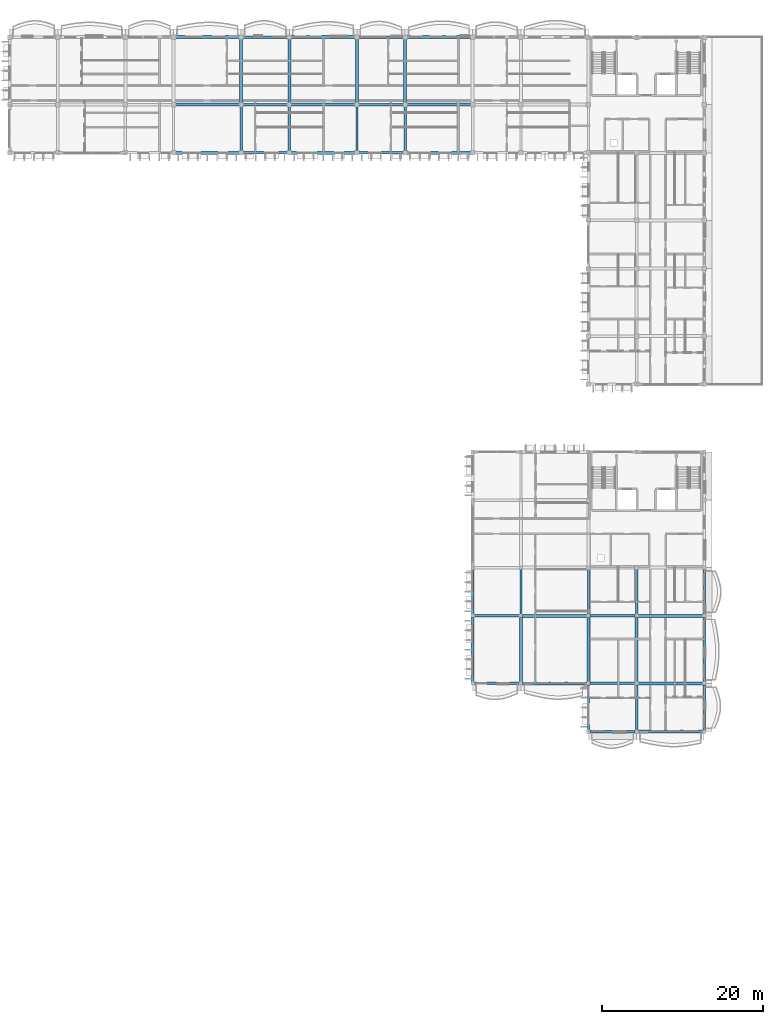
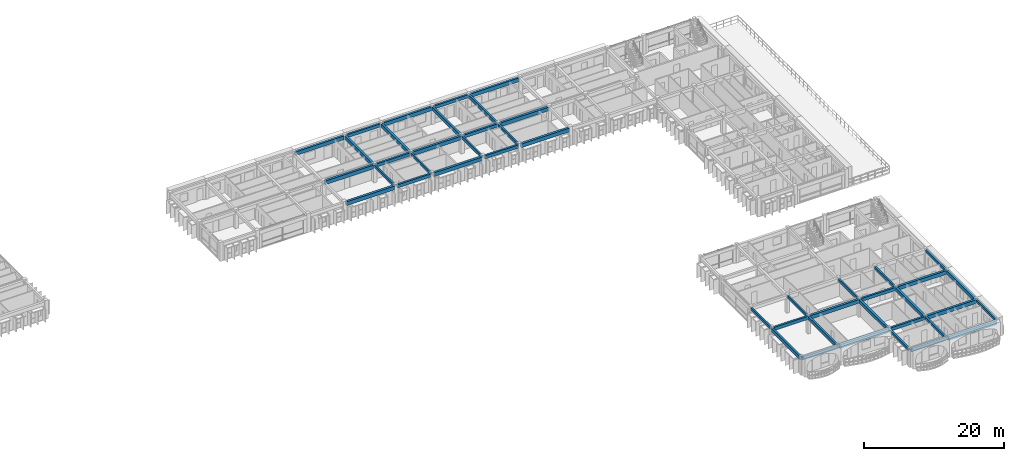
# One storey, part 12 of 68: 46 beams.
"""IFC4 building model written with IfcOpenShell, lengths in metres."""

from ifc_helpers import new_model, si_unit, direction, frame, origin, origin_2d, place, context, subcontext, project, spatial, rectangle, extrude, material, material_profile, profile_set, type_object, element, save


model = new_model("IFC4")

# Units and contexts
model_context = context("Model", 3, precision=1e-05, world=origin(), true_north=direction((0.0, 1.0)))
body_context = subcontext(model_context, "Body", "Model", "MODEL_VIEW")
ifc_project = project(units=[si_unit("LENGTHUNIT", "METRE"), si_unit("AREAUNIT", "SQUARE_METRE"), si_unit("VOLUMEUNIT", "CUBIC_METRE"), si_unit("PLANEANGLEUNIT", "RADIAN"), si_unit("MASSUNIT", "GRAM", prefix="KILO"), si_unit("THERMODYNAMICTEMPERATUREUNIT", "KELVIN")], contexts=[model_context])

# Site, building, storey
site_placement = place(None, origin())
site = spatial("IfcSite", under=ifc_project, at=site_placement, CompositionType="ELEMENT")
building_placement = place(site_placement, origin())
building = spatial("IfcBuilding", under=site, at=building_placement, Name="Thalorik Housing Commons", CompositionType="ELEMENT")
storey_placement = place(building_placement, frame((0.0, 0.0, 24.60009765625)))
storey = spatial("IfcBuildingStorey", under=building, at=storey_placement, Name="L07", CompositionType="ELEMENT", Elevation=24.60009765625)

# Beams
ifc_material = material(Name="Precast concrete C40/50", Category="concrete")
ifc_material_profile_1 = material_profile(ifc_material, rectangle(XDim=0.280029296875, YDim=0.449951171875, at=origin_2d()), Name="PC 280x450", Category="concrete")
ifc_profile_set_1 = profile_set([ifc_material_profile_1], Name="Precast concrete C40/50")
beam_type_1 = type_object("IfcBeamType", Name="STR-BM-PC280x450", PredefinedType="BEAM", material=ifc_profile_set_1)
for number, where, z_axis, x_axis, name in (
    (1, (109.199951171875, 109.425048828125, 2.81494140625), (0.0, 1.0, 0.0), (-1.0, 0.0, 0.0), "L07 Beam B-450"),
    (2, (115.199951171875, 109.425048828125, 2.81494140625), (0.0, 1.0, 0.0), (-1.0, 0.0, 0.0), "L07 Beam B-450"),
    (3, (123.60009765625, 109.425048828125, 2.81494140625), (0.0, 1.0, 0.0), (-1.0, 0.0, 0.0), "L07 Beam B-450"),
    (4, (129.60009765625, 109.425048828125, 2.81494140625), (0.0, 1.0, 0.0), (-1.0, 0.0, 0.0), "L07 Beam B-450"),
):
    element("IfcBeam", number, at=place(storey_placement, frame(where, z_axis=z_axis, x_axis=x_axis)), inside=storey, type_object=beam_type_1, Name=name, PredefinedType="BEAM", context=body_context, shape_type="SweptSolid", body=[
        extrude(rectangle(XDim=0.280029296875, YDim=0.449951171875, at=origin_2d()), origin(), (0.0, 0.0, 1.0), 5.550048828125),
    ])
for number, where, z_axis, x_axis, name in (
    (5, (138.0, 51.77490234375, 2.81494140625), (0.0, 1.0, 0.0), (-1.0, 0.0, 0.0), "L07 Beam B-450"),
    (6, (144.0, 51.77490234375, 2.81494140625), (0.0, 1.0, 0.0), (-1.0, 0.0, 0.0), "L07 Beam B-450"),
):
    element("IfcBeam", number, at=place(storey_placement, frame(where, z_axis=z_axis, x_axis=x_axis)), inside=storey, type_object=beam_type_1, Name=name, PredefinedType="BEAM", context=body_context, shape_type="SweptSolid", body=[
        extrude(rectangle(XDim=0.280029296875, YDim=0.449951171875, at=origin_2d()), origin(), (0.0, 0.0, 1.0), 5.650146484375),
    ])
beam_1_placement = place(storey_placement, frame((152.39990234375, 37.375, 2.81494140625), z_axis=(0.0, 1.0, 0.0), x_axis=(-1.0, 0.0, 0.0)))
element("IfcBeam", 7, at=beam_1_placement, inside=storey, type_object=beam_type_1, Name="L07 Beam B-450", PredefinedType="BEAM", context=body_context, shape_type="SweptSolid", body=[
    extrude(rectangle(XDim=0.280029296875, YDim=0.449951171875, at=origin_2d()), origin(), (0.0, 0.0, 1.0), 5.64990234375),
])
beam_2_placement = place(storey_placement, frame((152.39990234375, 51.77490234375, 2.81494140625), z_axis=(0.0, 1.0, 0.0), x_axis=(-1.0, 0.0, 0.0)))
element("IfcBeam", 8, at=beam_2_placement, inside=storey, type_object=beam_type_1, Name="L07 Beam B-450", PredefinedType="BEAM", context=body_context, shape_type="SweptSolid", body=[
    extrude(rectangle(XDim=0.280029296875, YDim=0.449951171875, at=origin_2d()), origin(), (0.0, 0.0, 1.0), 5.650146484375),
])
beam_3_placement = place(storey_placement, frame((158.39990234375, 37.375, 2.81494140625), z_axis=(0.0, 1.0, 0.0), x_axis=(-1.0, 0.0, 0.0)))
element("IfcBeam", 9, at=beam_3_placement, inside=storey, type_object=beam_type_1, Name="L07 Beam B-450", PredefinedType="BEAM", context=body_context, shape_type="SweptSolid", body=[
    extrude(rectangle(XDim=0.280029296875, YDim=0.449951171875, at=origin_2d()), origin(), (0.0, 0.0, 1.0), 5.64990234375),
])
beam_4_placement = place(storey_placement, frame((158.39990234375, 51.77490234375, 2.81494140625), z_axis=(0.0, 1.0, 0.0), x_axis=(-1.0, 0.0, 0.0)))
element("IfcBeam", 10, at=beam_4_placement, inside=storey, type_object=beam_type_1, Name="L07 Beam B-450", PredefinedType="BEAM", context=body_context, shape_type="SweptSolid", body=[
    extrude(rectangle(XDim=0.280029296875, YDim=0.449951171875, at=origin_2d()), origin(), (0.0, 0.0, 1.0), 5.650146484375),
])
beam_5_placement = place(storey_placement, frame((166.800048828125, 37.375, 2.81494140625), z_axis=(0.0, 1.0, 0.0), x_axis=(-1.0, 0.0, 0.0)))
element("IfcBeam", 11, at=beam_5_placement, inside=storey, type_object=beam_type_1, Name="L07 Beam B-450", PredefinedType="BEAM", context=body_context, shape_type="SweptSolid", body=[
    extrude(rectangle(XDim=0.280029296875, YDim=0.449951171875, at=origin_2d()), origin(), (0.0, 0.0, 1.0), 5.64990234375),
])
beam_6_placement = place(storey_placement, frame((166.800048828125, 51.77490234375, 2.81494140625), z_axis=(0.0, 1.0, 0.0), x_axis=(-1.0, 0.0, 0.0)))
element("IfcBeam", 12, at=beam_6_placement, inside=storey, type_object=beam_type_1, Name="L07 Beam B-450", PredefinedType="BEAM", context=body_context, shape_type="SweptSolid", body=[
    extrude(rectangle(XDim=0.280029296875, YDim=0.449951171875, at=origin_2d()), origin(), (0.0, 0.0, 1.0), 5.650146484375),
])
ifc_material_profile_2 = material_profile(ifc_material, rectangle(XDim=0.320068359375, YDim=0.550048828125, at=origin_2d()), Name="PC 320x550", Category="concrete")
ifc_profile_set_2 = profile_set([ifc_material_profile_2], Name="Precast concrete C40/50")
beam_type_2 = type_object("IfcBeamType", Name="STR-BM-PC320x550", PredefinedType="BEAM", material=ifc_profile_set_2)
beam_7_placement = place(storey_placement, frame((152.574951171875, 37.199951171875, 2.764892578125), z_axis=(1.0, 0.0, 0.0), x_axis=(0.0, 1.0, 0.0)))
element("IfcBeam", 13, at=beam_7_placement, inside=storey, type_object=beam_type_2, Name="L07 Beam B-550", PredefinedType="BEAM", context=body_context, shape_type="SweptSolid", body=[
    extrude(rectangle(XDim=0.320068359375, YDim=0.550048828125, at=origin_2d()), origin(), (0.0, 0.0, 1.0), 5.650146484375),
])
beam_8_placement = place(storey_placement, frame((138.175048828125, 43.199951171875, 2.764892578125), z_axis=(1.0, 0.0, 0.0), x_axis=(0.0, 1.0, 0.0)))
element("IfcBeam", 14, at=beam_8_placement, inside=storey, type_object=beam_type_2, Name="L07 Beam B-550", PredefinedType="BEAM", context=body_context, shape_type="SweptSolid", body=[
    extrude(rectangle(XDim=0.320068359375, YDim=0.550048828125, at=origin_2d()), origin(), (0.0, 0.0, 1.0), 5.64990234375),
])
beam_9_placement = place(storey_placement, frame((152.574951171875, 43.199951171875, 2.764892578125), z_axis=(1.0, 0.0, 0.0), x_axis=(0.0, 1.0, 0.0)))
element("IfcBeam", 15, at=beam_9_placement, inside=storey, type_object=beam_type_2, Name="L07 Beam B-550", PredefinedType="BEAM", context=body_context, shape_type="SweptSolid", body=[
    extrude(rectangle(XDim=0.320068359375, YDim=0.550048828125, at=origin_2d()), origin(), (0.0, 0.0, 1.0), 5.650146484375),
])
beam_10_placement = place(storey_placement, frame((138.175048828125, 51.60009765625, 2.764892578125), z_axis=(1.0, 0.0, 0.0), x_axis=(0.0, 1.0, 0.0)))
element("IfcBeam", 16, at=beam_10_placement, inside=storey, type_object=beam_type_2, Name="L07 Beam B-550", PredefinedType="BEAM", context=body_context, shape_type="SweptSolid", body=[
    extrude(rectangle(XDim=0.320068359375, YDim=0.550048828125, at=origin_2d()), origin(), (0.0, 0.0, 1.0), 5.64990234375),
])
beam_11_placement = place(storey_placement, frame((152.574951171875, 51.60009765625, 2.764892578125), z_axis=(1.0, 0.0, 0.0), x_axis=(0.0, 1.0, 0.0)))
element("IfcBeam", 17, at=beam_11_placement, inside=storey, type_object=beam_type_2, Name="L07 Beam B-550", PredefinedType="BEAM", context=body_context, shape_type="SweptSolid", body=[
    extrude(rectangle(XDim=0.320068359375, YDim=0.550048828125, at=origin_2d()), origin(), (0.0, 0.0, 1.0), 5.650146484375),
])
for number, where, z_axis, x_axis, name in (
    (18, (109.425048828125, 109.199951171875, 2.764892578125), (1.0, 0.0, 0.0), (0.0, 1.0, 0.0), "L07 Beam B-550"),
    (19, (123.824951171875, 109.199951171875, 2.764892578125), (1.0, 0.0, 0.0), (0.0, 1.0, 0.0), "L07 Beam B-550"),
    (20, (109.425048828125, 115.199951171875, 2.764892578125), (1.0, 0.0, 0.0), (0.0, 1.0, 0.0), "L07 Beam B-550"),
    (21, (123.824951171875, 115.199951171875, 2.764892578125), (1.0, 0.0, 0.0), (0.0, 1.0, 0.0), "L07 Beam B-550"),
    (22, (109.425048828125, 123.60009765625, 2.764892578125), (1.0, 0.0, 0.0), (0.0, 1.0, 0.0), "L07 Beam B-550"),
    (23, (123.824951171875, 123.60009765625, 2.764892578125), (1.0, 0.0, 0.0), (0.0, 1.0, 0.0), "L07 Beam B-550"),
):
    element("IfcBeam", number, at=place(storey_placement, frame(where, z_axis=z_axis, x_axis=x_axis)), inside=storey, type_object=beam_type_2, Name=name, PredefinedType="BEAM", context=body_context, shape_type="SweptSolid", body=[
        extrude(rectangle(XDim=0.320068359375, YDim=0.550048828125, at=origin_2d()), origin(), (0.0, 0.0, 1.0), 5.550048828125),
    ])
ifc_material_profile_3 = material_profile(ifc_material, rectangle(XDim=0.35009765625, YDim=0.60009765625, at=origin_2d()), Name="PC 350x600", Category="concrete")
ifc_profile_set_3 = profile_set([ifc_material_profile_3], Name="Precast concrete C40/50")
beam_type_3 = type_object("IfcBeamType", Name="STR-BM-PC350x600", PredefinedType="BEAM", material=ifc_profile_set_3)
for number, where, z_axis, x_axis, name in (
    (24, (109.199951171875, 115.425048828125, 2.739990234375), (0.0, 1.0, 0.0), (-1.0, 0.0, 0.0), "L07 Beam B-600"),
    (25, (115.199951171875, 115.425048828125, 2.739990234375), (0.0, 1.0, 0.0), (-1.0, 0.0, 0.0), "L07 Beam B-600"),
    (26, (123.60009765625, 115.425048828125, 2.739990234375), (0.0, 1.0, 0.0), (-1.0, 0.0, 0.0), "L07 Beam B-600"),
    (27, (129.60009765625, 115.425048828125, 2.739990234375), (0.0, 1.0, 0.0), (-1.0, 0.0, 0.0), "L07 Beam B-600"),
):
    element("IfcBeam", number, at=place(storey_placement, frame(where, z_axis=z_axis, x_axis=x_axis)), inside=storey, type_object=beam_type_3, Name=name, PredefinedType="BEAM", context=body_context, shape_type="SweptSolid", body=[
        extrude(rectangle(XDim=0.35009765625, YDim=0.60009765625, at=origin_2d()), origin(), (0.0, 0.0, 1.0), 7.949951171875),
    ])
for number, where, z_axis, x_axis, name in (
    (28, (138.0, 43.375, 2.739990234375), (0.0, 1.0, 0.0), (-1.0, 0.0, 0.0), "L07 Beam B-600"),
    (29, (144.0, 43.375, 2.739990234375), (0.0, 1.0, 0.0), (-1.0, 0.0, 0.0), "L07 Beam B-600"),
    (30, (152.39990234375, 43.375, 2.739990234375), (0.0, 1.0, 0.0), (-1.0, 0.0, 0.0), "L07 Beam B-600"),
    (31, (158.39990234375, 43.375, 2.739990234375), (0.0, 1.0, 0.0), (-1.0, 0.0, 0.0), "L07 Beam B-600"),
    (32, (166.800048828125, 43.375, 2.739990234375), (0.0, 1.0, 0.0), (-1.0, 0.0, 0.0), "L07 Beam B-600"),
):
    element("IfcBeam", number, at=place(storey_placement, frame(where, z_axis=z_axis, x_axis=x_axis)), inside=storey, type_object=beam_type_3, Name=name, PredefinedType="BEAM", context=body_context, shape_type="SweptSolid", body=[
        extrude(rectangle(XDim=0.35009765625, YDim=0.60009765625, at=origin_2d()), origin(), (0.0, 0.0, 1.0), 8.050048828125),
    ])
ifc_material_profile_4 = material_profile(ifc_material, rectangle(XDim=0.3798828125, YDim=0.64990234375, at=origin_2d()), Name="PC 380x650", Category="concrete")
ifc_profile_set_4 = profile_set([ifc_material_profile_4], Name="Precast concrete C40/50")
beam_type_4 = type_object("IfcBeamType", Name="STR-BM-PC380x650", PredefinedType="BEAM", material=ifc_profile_set_4)
for number, where, z_axis, x_axis, name in (
    (33, (158.574951171875, 37.199951171875, 2.71484375), (1.0, 0.0, 0.0), (0.0, 1.0, 0.0), "L07 Beam B-650"),
    (34, (144.175048828125, 43.199951171875, 2.71484375), (1.0, 0.0, 0.0), (0.0, 1.0, 0.0), "L07 Beam B-650"),
    (35, (158.574951171875, 43.199951171875, 2.71484375), (1.0, 0.0, 0.0), (0.0, 1.0, 0.0), "L07 Beam B-650"),
    (36, (144.175048828125, 51.60009765625, 2.71484375), (1.0, 0.0, 0.0), (0.0, 1.0, 0.0), "L07 Beam B-650"),
    (37, (158.574951171875, 51.60009765625, 2.71484375), (1.0, 0.0, 0.0), (0.0, 1.0, 0.0), "L07 Beam B-650"),
):
    element("IfcBeam", number, at=place(storey_placement, frame(where, z_axis=z_axis, x_axis=x_axis)), inside=storey, type_object=beam_type_4, Name=name, PredefinedType="BEAM", context=body_context, shape_type="SweptSolid", body=[
        extrude(rectangle(XDim=0.3798828125, YDim=0.64990234375, at=origin_2d()), origin(), (0.0, 0.0, 1.0), 8.050048828125),
    ])
beam_12_placement = place(storey_placement, frame((101.02490234375, 109.199951171875, 2.71484375), z_axis=(1.0, 0.0, 0.0), x_axis=(0.0, 1.0, 0.0)))
element("IfcBeam", 38, at=beam_12_placement, inside=storey, type_object=beam_type_4, Name="L07 Beam B-650", PredefinedType="BEAM", context=body_context, shape_type="SweptSolid", body=[
    extrude(rectangle(XDim=0.3798828125, YDim=0.64990234375, at=origin_2d()), origin(), (0.0, 0.0, 1.0), 7.9501953125),
])
for number, where, z_axis, x_axis, name in (
    (39, (115.425048828125, 109.199951171875, 2.71484375), (1.0, 0.0, 0.0), (0.0, 1.0, 0.0), "L07 Beam B-650"),
    (40, (129.824951171875, 109.199951171875, 2.71484375), (1.0, 0.0, 0.0), (0.0, 1.0, 0.0), "L07 Beam B-650"),
):
    element("IfcBeam", number, at=place(storey_placement, frame(where, z_axis=z_axis, x_axis=x_axis)), inside=storey, type_object=beam_type_4, Name=name, PredefinedType="BEAM", context=body_context, shape_type="SweptSolid", body=[
        extrude(rectangle(XDim=0.3798828125, YDim=0.64990234375, at=origin_2d()), origin(), (0.0, 0.0, 1.0), 7.949951171875),
    ])
beam_13_placement = place(storey_placement, frame((101.02490234375, 115.199951171875, 2.71484375), z_axis=(1.0, 0.0, 0.0), x_axis=(0.0, 1.0, 0.0)))
element("IfcBeam", 41, at=beam_13_placement, inside=storey, type_object=beam_type_4, Name="L07 Beam B-650", PredefinedType="BEAM", context=body_context, shape_type="SweptSolid", body=[
    extrude(rectangle(XDim=0.3798828125, YDim=0.64990234375, at=origin_2d()), origin(), (0.0, 0.0, 1.0), 7.9501953125),
])
for number, where, z_axis, x_axis, name in (
    (42, (115.425048828125, 115.199951171875, 2.71484375), (1.0, 0.0, 0.0), (0.0, 1.0, 0.0), "L07 Beam B-650"),
    (43, (129.824951171875, 115.199951171875, 2.71484375), (1.0, 0.0, 0.0), (0.0, 1.0, 0.0), "L07 Beam B-650"),
):
    element("IfcBeam", number, at=place(storey_placement, frame(where, z_axis=z_axis, x_axis=x_axis)), inside=storey, type_object=beam_type_4, Name=name, PredefinedType="BEAM", context=body_context, shape_type="SweptSolid", body=[
        extrude(rectangle(XDim=0.3798828125, YDim=0.64990234375, at=origin_2d()), origin(), (0.0, 0.0, 1.0), 7.949951171875),
    ])
beam_14_placement = place(storey_placement, frame((101.02490234375, 123.60009765625, 2.71484375), z_axis=(1.0, 0.0, 0.0), x_axis=(0.0, 1.0, 0.0)))
element("IfcBeam", 44, at=beam_14_placement, inside=storey, type_object=beam_type_4, Name="L07 Beam B-650", PredefinedType="BEAM", context=body_context, shape_type="SweptSolid", body=[
    extrude(rectangle(XDim=0.3798828125, YDim=0.64990234375, at=origin_2d()), origin(), (0.0, 0.0, 1.0), 7.9501953125),
])
for number, where, z_axis, x_axis, name in (
    (45, (115.425048828125, 123.60009765625, 2.71484375), (1.0, 0.0, 0.0), (0.0, 1.0, 0.0), "L07 Beam B-650"),
    (46, (129.824951171875, 123.60009765625, 2.71484375), (1.0, 0.0, 0.0), (0.0, 1.0, 0.0), "L07 Beam B-650"),
):
    element("IfcBeam", number, at=place(storey_placement, frame(where, z_axis=z_axis, x_axis=x_axis)), inside=storey, type_object=beam_type_4, Name=name, PredefinedType="BEAM", context=body_context, shape_type="SweptSolid", body=[
        extrude(rectangle(XDim=0.3798828125, YDim=0.64990234375, at=origin_2d()), origin(), (0.0, 0.0, 1.0), 7.949951171875),
    ])

save(model, "model.ifc")
